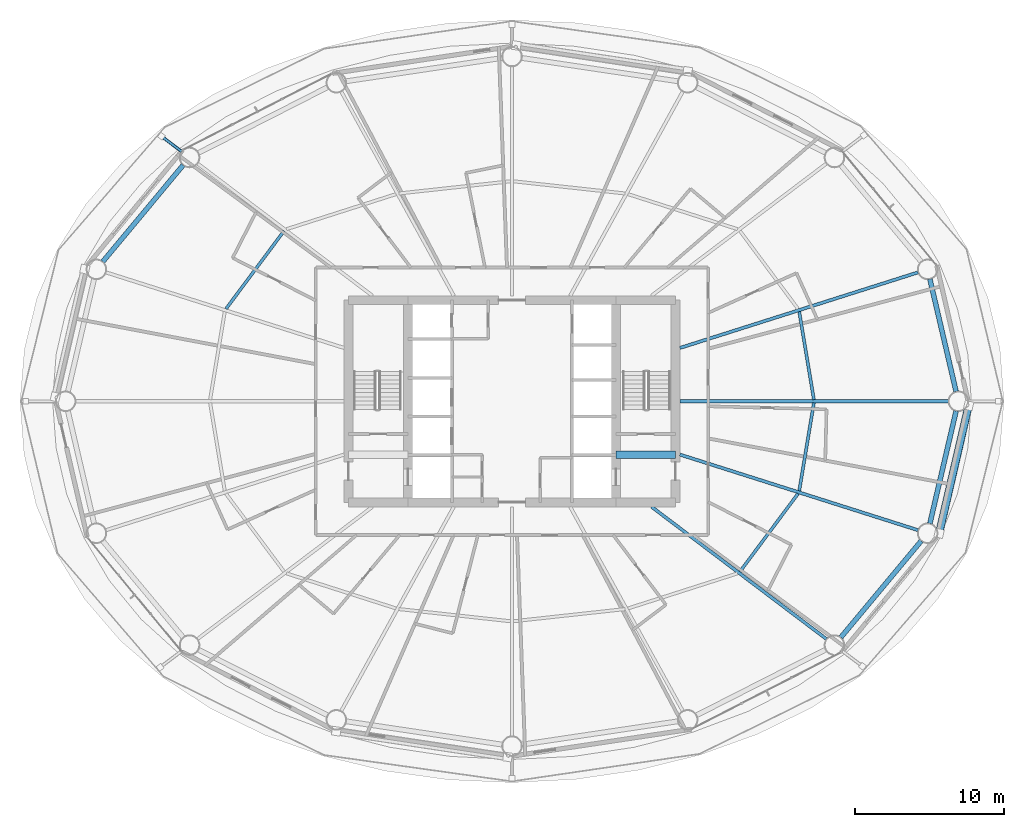
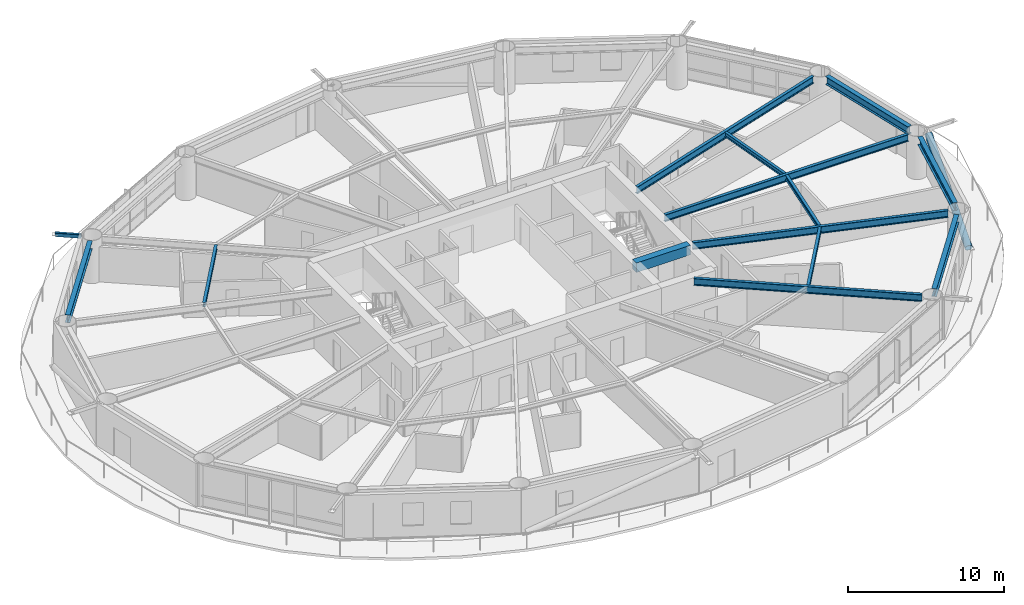
# One storey, part 9 of 26: 13 beams, 2 members.
"""IFC4 building model written with IfcOpenShell, lengths in metres."""

from ifc_helpers import new_model, si_unit, direction, frame, origin, origin_2d, place, context, subcontext, project, spatial, rectangle, hollow_rectangle, hollow_circle, i_section, extrude, material, material_profile, profile_set, type_object, element, save


model = new_model("IFC4")

# Units and contexts
model_context = context("Model", 3, precision=1e-05, world=origin(), true_north=direction((0.0, 1.0)))
body_context = subcontext(model_context, "Body", "Model", "MODEL_VIEW")
ifc_project = project(units=[si_unit("LENGTHUNIT", "METRE"), si_unit("AREAUNIT", "SQUARE_METRE"), si_unit("VOLUMEUNIT", "CUBIC_METRE"), si_unit("PLANEANGLEUNIT", "RADIAN"), si_unit("MASSUNIT", "GRAM", prefix="KILO")], contexts=[model_context])

# Site, building, storey
site_placement = place(None, origin())
site = spatial("IfcSite", under=ifc_project, at=site_placement, CompositionType="ELEMENT")
building_placement = place(site_placement, origin())
building = spatial("IfcBuilding", under=site, at=building_placement, Name="Sarneth Arch Tower", CompositionType="ELEMENT")
storey_placement = place(building_placement, frame((0.0, 0.0, 46.199951171875)))
storey = spatial("IfcBuildingStorey", under=building, at=storey_placement, Name="L10", CompositionType="ELEMENT", Elevation=46.199951171875)

# Beams
ifc_material_1 = material(Name="Steel S355", Category="steel")
ifc_material_profile_1 = material_profile(ifc_material_1, i_section(OverallWidth=0.2041015625, OverallDepth=0.35009765625, WebThickness=0.008544921875, FlangeThickness=0.01513671875, FilletRadius=0.014892578125, at=origin_2d()), Name="W360x72")
ifc_profile_set_1 = profile_set([ifc_material_profile_1], Name="Steel S355")
beam_type_1 = type_object("IfcBeamType", Name="BM-JOIST-360D", PredefinedType="JOIST", material=ifc_profile_set_1)
beam_1_placement = place(storey_placement, frame((68.312255859375, 42.10546875, 3.205078125), z_axis=(-0.163917352659, 0.986474075431, 0.0), x_axis=(-0.986474075431, -0.163917352659, 0.0)))
element("IfcBeam", 1, at=beam_1_placement, inside=storey, type_object=beam_type_1, Name="L10 Secondary floor joist 01", PredefinedType="JOIST", context=body_context, shape_type="SweptSolid", body=[
    extrude(i_section(OverallWidth=0.2041015625, OverallDepth=0.35009765625, WebThickness=0.008544921875, FlangeThickness=0.01513671875, FilletRadius=0.014892578125, at=origin_2d()), origin(), (0.0, 0.0, 1.0), 6.000732421875),
])
for number, where, z_axis, x_axis, name in (
    (2, (32.661865234375, 53.463134765625, 3.205078125), (-0.597453564101, -0.801903509621, 0.0), (0.801903509621, -0.597453564101, 0.0), "L10 Secondary floor joist 07"),
    (3, (63.338134765625, 30.536865234375, 3.205078125), (0.597453564101, 0.801903509621, 0.0), (-0.801903509621, 0.597453564101, 0.0), "L10 Secondary floor joist 15"),
):
    element("IfcBeam", number, at=place(storey_placement, frame(where, z_axis=z_axis, x_axis=x_axis)), inside=storey, type_object=beam_type_1, Name=name, PredefinedType="JOIST", context=body_context, shape_type="SweptSolid", body=[
        extrude(i_section(OverallWidth=0.2041015625, OverallDepth=0.35009765625, WebThickness=0.008544921875, FlangeThickness=0.01513671875, FilletRadius=0.014892578125, at=origin_2d()), origin(), (0.0, 0.0, 1.0), 6.542724609375),
    ])
beam_2_placement = place(storey_placement, frame((67.32861328125, 35.974853515625, 3.205078125), z_axis=(0.163917352659, 0.986474075431, 0.0), x_axis=(-0.986474075431, 0.163917352659, 0.0)))
element("IfcBeam", 4, at=beam_2_placement, inside=storey, type_object=beam_type_1, Name="L10 Secondary floor joist 16", PredefinedType="JOIST", context=body_context, shape_type="SweptSolid", body=[
    extrude(i_section(OverallWidth=0.2041015625, OverallDepth=0.35009765625, WebThickness=0.008544921875, FlangeThickness=0.01513671875, FilletRadius=0.014892578125, at=origin_2d()), origin(), (0.0, 0.0, 1.0), 6.000732421875),
])
ifc_material_2 = material(Name="Concrete C50/60", Category="concrete")
ifc_material_profile_2 = material_profile(ifc_material_2, rectangle(XDim=0.5, YDim=0.75, at=origin_2d()), Name="RC-500x750")
ifc_profile_set_2 = profile_set([ifc_material_profile_2], Name="Concrete C50/60")
beam_type_2 = type_object("IfcBeamType", Name="BM-LINTEL-RC", PredefinedType="LINTEL", material=ifc_profile_set_2)
beam_3_placement = place(storey_placement, frame((55.0, 38.39990234375, 3.005126953125), z_axis=(1.0, 0.0, 0.0), x_axis=(0.0, 1.0, 0.0)))
element("IfcBeam", 5, at=beam_3_placement, inside=storey, type_object=beam_type_2, Name="L10 Core coupling lintel E", PredefinedType="LINTEL", context=body_context, shape_type="SweptSolid", body=[
    extrude(rectangle(XDim=0.5, YDim=0.75, at=origin_2d()), origin(), (0.0, 0.0, 1.0), 4.0),
])
ifc_material_3 = material(Name="Steel S355", Category="steel")
ifc_material_profile_3 = material_profile(ifc_material_3, i_section(OverallWidth=0.214111328125, OverallDepth=0.549072265625, WebThickness=0.0146484375, FlangeThickness=0.023681640625, FilletRadius=0.01806640625, at=origin_2d()), Name="W530x138")
ifc_profile_set_3 = profile_set([ifc_material_profile_3], Name="Steel S355")
beam_type_3 = type_object("IfcBeamType", Name="BM-RAD-530A", PredefinedType="BEAM", material=ifc_profile_set_3)
beam_4_placement = place(storey_placement, frame((59.300048828125, 42.0, 3.10546875), z_axis=(1.0, 0.0, 0.0), x_axis=(0.0, 1.0, 0.0)))
element("IfcBeam", 6, at=beam_4_placement, inside=storey, type_object=beam_type_3, Name="L10 Radial floor girder 01", PredefinedType="BEAM", context=body_context, shape_type="SweptSolid", body=[
    extrude(i_section(OverallWidth=0.214111328125, OverallDepth=0.549072265625, WebThickness=0.0146484375, FlangeThickness=0.023681640625, FilletRadius=0.01806640625, at=origin_2d()), origin(), (0.0, 0.0, 1.0), 18.059814453125),
])
beam_5_placement = place(storey_placement, frame((59.300048828125, 45.58740234375, 3.10546875), z_axis=(0.953119945629, 0.302592744864, 0.0), x_axis=(-0.302592744864, 0.953119945629, 0.0)))
element("IfcBeam", 7, at=beam_5_placement, inside=storey, type_object=beam_type_3, Name="L10 Radial floor girder 02", PredefinedType="BEAM", context=body_context, shape_type="SweptSolid", body=[
    extrude(i_section(OverallWidth=0.214111328125, OverallDepth=0.549072265625, WebThickness=0.0146484375, FlangeThickness=0.023681640625, FilletRadius=0.01806640625, at=origin_2d()), origin(), (0.0, 0.0, 1.0), 16.810302734375),
])
beam_6_placement = place(storey_placement, frame((57.390380859375, 34.89990234375, 3.10546875), z_axis=(0.797656612852, -0.603111870198, 0.0), x_axis=(0.603111870198, 0.797656612852, 0.0)))
element("IfcBeam", 8, at=beam_6_placement, inside=storey, type_object=beam_type_3, Name="L10 Radial floor girder 15", PredefinedType="BEAM", context=body_context, shape_type="SweptSolid", body=[
    extrude(i_section(OverallWidth=0.214111328125, OverallDepth=0.549072265625, WebThickness=0.0146484375, FlangeThickness=0.023681640625, FilletRadius=0.01806640625, at=origin_2d()), origin(), (0.0, 0.0, 1.0), 14.7529296875),
])
beam_7_placement = place(storey_placement, frame((59.300048828125, 38.41259765625, 3.10546875), z_axis=(0.953119945629, -0.302592744864, 0.0), x_axis=(0.302592744864, 0.953119945629, 0.0)))
element("IfcBeam", 9, at=beam_7_placement, inside=storey, type_object=beam_type_3, Name="L10 Radial floor girder 16", PredefinedType="BEAM", context=body_context, shape_type="SweptSolid", body=[
    extrude(i_section(OverallWidth=0.214111328125, OverallDepth=0.549072265625, WebThickness=0.0146484375, FlangeThickness=0.023681640625, FilletRadius=0.01806640625, at=origin_2d()), origin(), (0.0, 0.0, 1.0), 16.810302734375),
])
ifc_material_4 = material(Name="Steel S355", Category="steel")
ifc_material_profile_4 = material_profile(ifc_material_4, i_section(OverallWidth=0.326904296875, OverallDepth=0.6220703125, WebThickness=0.015380859375, FlangeThickness=0.0244140625, FilletRadius=0.01904296875, at=origin_2d()), Name="W610x195")
ifc_profile_set_4 = profile_set([ifc_material_profile_4], Name="Steel S355")
beam_type_4 = type_object("IfcBeamType", Name="BM-SPAN-610A", PredefinedType="SPANDREL", material=ifc_profile_set_4)
beam_8_placement = place(storey_placement, frame((77.881591796875, 42.657470703125, 3.069091796875), z_axis=(-0.227001042423, 0.973894515201, 0.0), x_axis=(-0.973894515201, -0.227001042423, 0.0)))
element("IfcBeam", 10, at=beam_8_placement, inside=storey, type_object=beam_type_4, Name="L10 Perimeter spandrel beam 01", PredefinedType="SPANDREL", context=body_context, shape_type="SweptSolid", body=[
    extrude(i_section(OverallWidth=0.326904296875, OverallDepth=0.6220703125, WebThickness=0.015380859375, FlangeThickness=0.0244140625, FilletRadius=0.01904296875, at=origin_2d()), origin(), (0.0, 0.0, 1.0), 7.76611328125),
])
for number, where, z_axis, x_axis, name in (
    (11, (25.871337890625, 57.88623046875, 3.069091796875), (-0.639979646835, -0.768391860731, 0.0), (0.768391860731, -0.639979646835, 0.0), "L10 Perimeter spandrel beam 07"),
    (12, (70.128662109375, 26.11376953125, 3.069091796875), (0.639979646835, 0.768391860731, 0.0), (-0.768391860731, 0.639979646835, 0.0), "L10 Perimeter spandrel beam 15"),
):
    element("IfcBeam", number, at=place(storey_placement, frame(where, z_axis=z_axis, x_axis=x_axis)), inside=storey, type_object=beam_type_4, Name=name, PredefinedType="SPANDREL", context=body_context, shape_type="SweptSolid", body=[
        extrude(i_section(OverallWidth=0.326904296875, OverallDepth=0.6220703125, WebThickness=0.015380859375, FlangeThickness=0.0244140625, FilletRadius=0.01904296875, at=origin_2d()), origin(), (0.0, 0.0, 1.0), 8.4453125),
    ])
beam_9_placement = place(storey_placement, frame((76.11865234375, 33.779052734375, 3.069091796875), z_axis=(0.227001042423, 0.973894515201, 0.0), x_axis=(-0.973894515201, 0.227001042423, 0.0)))
element("IfcBeam", 13, at=beam_9_placement, inside=storey, type_object=beam_type_4, Name="L10 Perimeter spandrel beam 16", PredefinedType="SPANDREL", context=body_context, shape_type="SweptSolid", body=[
    extrude(i_section(OverallWidth=0.326904296875, OverallDepth=0.6220703125, WebThickness=0.015380859375, FlangeThickness=0.0244140625, FilletRadius=0.01904296875, at=origin_2d()), origin(), (0.0, 0.0, 1.0), 7.76611328125),
])

# Members
ifc_material_5 = material(Name="Steel S355", Category="steel")
ifc_material_profile_5 = material_profile(ifc_material_5, hollow_rectangle(XDim=0.199951171875, YDim=0.300048828125, WallThickness=0.012451171875, InnerFilletRadius=0.018798828125, OuterFilletRadius=0.03125, at=origin_2d()), Name="RHS300x200x12.5")
ifc_profile_set_5 = profile_set([ifc_material_profile_5], Name="Steel S355")
member_type_1 = type_object("IfcMemberType", Name="MEM-CANT-STRUT", PredefinedType="STRUT", material=ifc_profile_set_5)
member_1_placement = place(storey_placement, frame((25.764892578125, 58.81201171875, 3.219970703125), z_axis=(-0.797657639118, 0.603110512889, 0.0), x_axis=(-0.603110512889, -0.797657639118, 0.0)))
element("IfcMember", 14, at=member_1_placement, inside=storey, type_object=member_type_1, Name="L10 Balcony cantilever bracket 07", PredefinedType="STRUT", context=body_context, shape_type="SweptSolid", body=[
    extrude(hollow_rectangle(XDim=0.199951171875, YDim=0.300048828125, WallThickness=0.012451171875, InnerFilletRadius=0.018798828125, OuterFilletRadius=0.03125, at=origin_2d()), origin(), (0.0, 0.0, 1.0), 1.69287109375),
])
ifc_material_6 = material(Name="Steel S355", Category="steel")
ifc_material_profile_6 = material_profile(ifc_material_6, hollow_circle(Radius=0.25390625, WallThickness=0.01611328125, at=origin_2d()), Name="CHS508x16")
ifc_profile_set_6 = profile_set([ifc_material_profile_6], Name="Steel S355")
member_type_2 = type_object("IfcMemberType", Name="MEM-DIAG-BR1", PredefinedType="BRACE", material=ifc_profile_set_6)
member_2_placement = place(storey_placement, frame((76.739013671875, 33.115478515625, 0.02001953125), z_axis=(0.213332307958, 0.922814312474, 0.320785085492), x_axis=(-0.974304339016, 0.225235554419, 0.0)))
element("IfcMember", 15, at=member_2_placement, inside=storey, type_object=member_type_2, Name="L10 Perimeter frame diagonal 16", PredefinedType="BRACE", context=body_context, shape_type="SweptSolid", body=[
    extrude(hollow_circle(Radius=0.25390625, WallThickness=0.01611328125, at=origin_2d()), origin(), (0.0, 0.0, 1.0), 9.31103515625),
])

save(model, "model.ifc")
